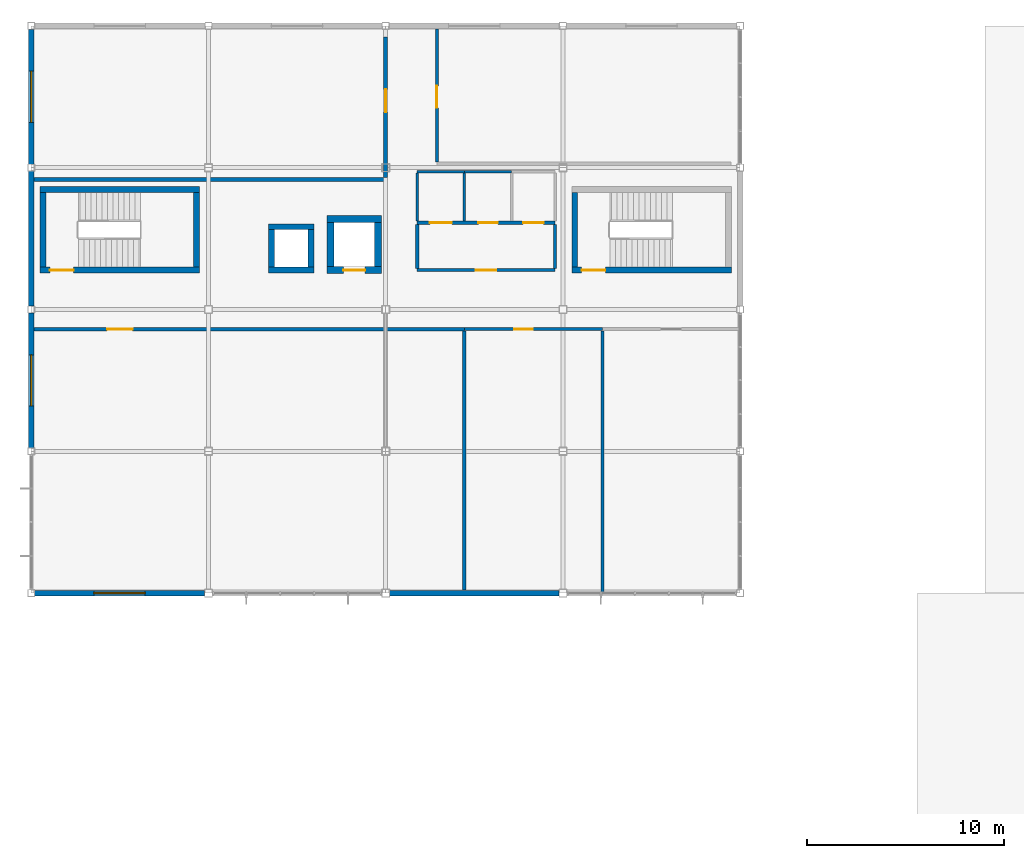
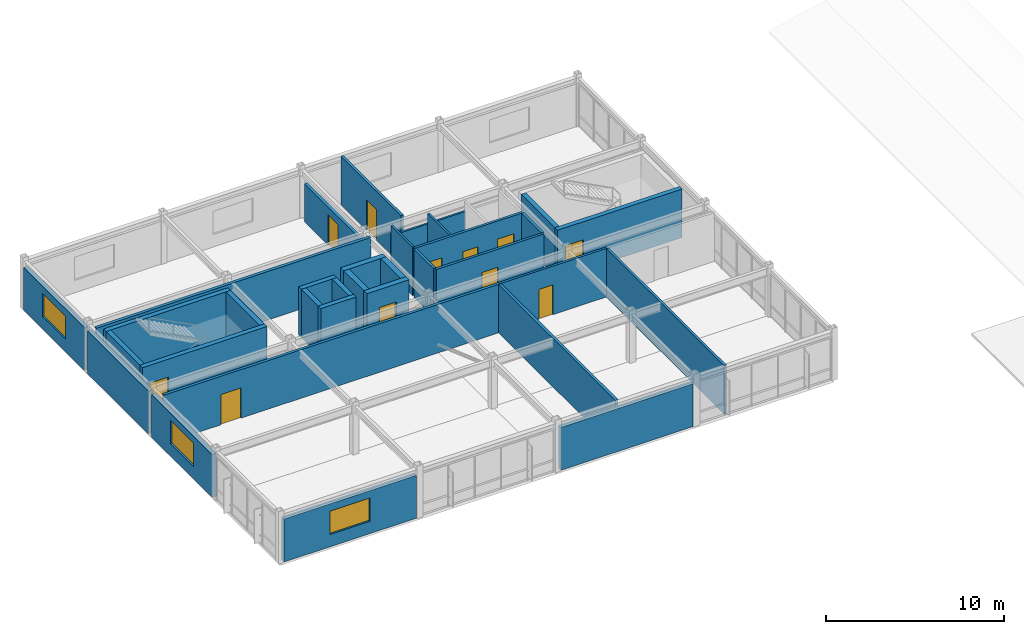
# One storey, part 26 of 34: 34 walls, 11 doors, 3 windows, 14 openings.
"""IFC4 building model written with IfcOpenShell, lengths in metres."""

from ifc_helpers import new_model, si_unit, direction, frame, frame_2d, origin, place, context, subcontext, project, spatial, rectangle, extrude, material, layer, layer_set, type_object, element, fill, save


model = new_model("IFC4")

# Units and contexts
model_context = context("Model", 3, precision=1e-05, world=origin(), true_north=direction((0.0, 1.0)))
body_context = subcontext(model_context, "Body", "Model", "MODEL_VIEW")
ifc_project = project(units=[si_unit("LENGTHUNIT", "METRE"), si_unit("AREAUNIT", "SQUARE_METRE"), si_unit("VOLUMEUNIT", "CUBIC_METRE"), si_unit("PLANEANGLEUNIT", "RADIAN"), si_unit("MASSUNIT", "GRAM", prefix="KILO")], contexts=[model_context])

# Site, building, storey
site_placement = place(None, origin())
site = spatial("IfcSite", under=ifc_project, at=site_placement, CompositionType="ELEMENT")
building_placement = place(site_placement, origin())
building = spatial("IfcBuilding", under=site, at=building_placement, Name="Kazanami Central Library", CompositionType="ELEMENT")
storey_placement = place(building_placement, frame((0.0, 0.0, 17.0)))
storey = spatial("IfcBuildingStorey", under=building, at=storey_placement, Name="L05", CompositionType="ELEMENT", Elevation=17.0)

# Wall, opening, window
ifc_material_1 = material(Name="Concrete Fc36 (36 MPa)", Category="concrete")
ifc_layer_1 = layer(ifc_material_1, 0.199951171875, Name="Concrete Fc36 (36 MPa)")
ifc_material_2 = material(Name="Extruded Polystyrene XPS", Category="earth")
ifc_layer_2 = layer(ifc_material_2, 0.050048828125, Name="Extruded Polystyrene XPS")
ifc_material_3 = material(Name="Honed Inada Granite", Category="masonry")
ifc_layer_3 = layer(ifc_material_3, 0.030029296875, Name="Honed Inada Granite")
ifc_layer_set_1 = layer_set([ifc_layer_1, ifc_layer_2, ifc_layer_3], Name="Concrete Fc36 (36 MPa)")
wall_type_1 = type_object("IfcWallType", Name="WAL-EW-280", PredefinedType="STANDARD", material=ifc_layer_set_1)
wall_1_placement = place(storey_placement, frame((0.175048828125, 64.800048828125, 0.0), z_axis=(0.0, 0.0, 1.0), x_axis=(1.0, 0.0, 0.0)))
wall_1 = element("IfcWall", 1, at=wall_1_placement, inside=storey, type_object=wall_type_1, Name="Exterior Facade Wall EW-280 L05 S-K-00", PredefinedType="STANDARD", context=body_context, shape_type="SweptSolid", body=[
    extrude(rectangle(XDim=8.625, YDim=0.280029296875, at=frame_2d((4.3125, 0.0))), origin(), (0.0, 0.0, 1.0), 2.949951171875),
])
opening_1_placement = place(wall_1_placement, frame((3.012451171875, 0.0, 0.85009765625)))
opening_1 = element("IfcOpeningElement", 2, at=opening_1_placement, cuts=wall_1, Name="Opening WN-13", PredefinedType="OPENING", context=body_context, shape_type="SweptSolid", body=[
    extrude(rectangle(XDim=2.60009765625, YDim=1.60009765625, at=frame_2d((1.300048828125, 0.800048828125))), frame((0.0, 0.15185546875, 0.0), z_axis=(0.0, -1.0, 0.0), x_axis=(1.0, 0.0, 0.0)), (0.0, 0.0, 1.0), 0.303955078125),
])
ifc_material_4 = material(Name="Low-E Insulated Triple Glass", Category="glass")
window_type = type_object("IfcWindowType", Name="WIN-WN-13", PartitioningType="DOUBLE_PANEL_VERTICAL", PredefinedType="WINDOW", material=ifc_material_4)
window_1_placement = place(opening_1_placement, origin())
window_1 = element("IfcWindow", 3, at=window_1_placement, inside=storey, type_object=window_type, Name="Facade Window WN-13 L05 S-K-00", OverallHeight=1.60009765625, OverallWidth=2.60009765625, PartitioningType="DOUBLE_PANEL_VERTICAL", PredefinedType="WINDOW", context=body_context, shape_type="SweptSolid", body=[
    extrude(rectangle(XDim=2.60009765625, YDim=1.60009765625, at=frame_2d((1.300048828125, 0.800048828125))), frame((0.0, 0.030029296875, 0.0), z_axis=(0.0, -1.0, 0.0), x_axis=(1.0, 0.0, 0.0)), (0.0, 0.0, 1.0), 0.06005859375),
])
fill(opening_1, window_1)

# Wall
wall_2_placement = place(storey_placement, frame((18.199951171875, 64.800048828125, 0.0), z_axis=(0.0, 0.0, 1.0), x_axis=(1.0, 0.0, 0.0)))
element("IfcWall", 4, at=wall_2_placement, inside=storey, type_object=wall_type_1, Name="Exterior Facade Wall EW-280 L05 S-K-02", PredefinedType="STANDARD", context=body_context, shape_type="SweptSolid", body=[
    extrude(rectangle(XDim=8.60009765625, YDim=0.280029296875, at=frame_2d((4.300048828125, 0.0))), origin(), (0.0, 0.0, 1.0), 2.949951171875),
])

# Wall, opening, window
wall_3_placement = place(storey_placement, frame((0.0, 72.175048828125, 0.0), z_axis=(0.0, 0.0, 1.0), x_axis=(0.0, 1.0, 0.0)))
wall_3 = element("IfcWall", 5, at=wall_3_placement, inside=storey, type_object=wall_type_1, Name="Exterior Facade Wall EW-280 L05 W-1-10", PredefinedType="STANDARD", context=body_context, shape_type="SweptSolid", body=[
    extrude(rectangle(XDim=6.849853515625, YDim=0.280029296875, at=frame_2d((3.4248046875, 0.0))), origin(), (0.0, 0.0, 1.0), 2.93994140625),
])
opening_2_placement = place(wall_3_placement, frame((2.125, 0.0, 0.85009765625)))
opening_2 = element("IfcOpeningElement", 6, at=opening_2_placement, cuts=wall_3, Name="Opening WN-13", PredefinedType="OPENING", context=body_context, shape_type="SweptSolid", body=[
    extrude(rectangle(XDim=2.60009765625, YDim=1.60009765625, at=frame_2d((1.300048828125, 0.800048828125))), frame((0.0, 0.15185546875, 0.0), z_axis=(0.0, -1.0, 0.0), x_axis=(1.0, 0.0, 0.0)), (0.0, 0.0, 1.0), 0.303955078125),
])
window_2_placement = place(opening_2_placement, origin())
window_2 = element("IfcWindow", 7, at=window_2_placement, inside=storey, type_object=window_type, Name="Facade Window WN-13 L05 W-1-10", OverallHeight=1.60009765625, OverallWidth=2.60009765625, PartitioningType="DOUBLE_PANEL_VERTICAL", PredefinedType="WINDOW", context=body_context, shape_type="SweptSolid", body=[
    extrude(rectangle(XDim=2.60009765625, YDim=1.60009765625, at=frame_2d((1.300048828125, 0.800048828125))), frame((0.0, 0.030029296875, 0.0), z_axis=(0.0, -1.0, 0.0), x_axis=(1.0, 0.0, 0.0)), (0.0, 0.0, 1.0), 0.06005859375),
])
fill(opening_2, window_2)

# Wall
wall_4_placement = place(storey_placement, frame((0.0, 79.375, 0.0), z_axis=(0.0, 0.0, 1.0), x_axis=(0.0, 1.0, 0.0)))
element("IfcWall", 8, at=wall_4_placement, inside=storey, type_object=wall_type_1, Name="Exterior Facade Wall EW-280 L05 W-1-11", PredefinedType="STANDARD", context=body_context, shape_type="SweptSolid", body=[
    extrude(rectangle(XDim=6.85009765625, YDim=0.280029296875, at=frame_2d((3.425048828125, 0.0))), origin(), (0.0, 0.0, 1.0), 2.93994140625),
])

# Wall, opening, window
wall_5_placement = place(storey_placement, frame((0.0, 86.574951171875, 0.0), z_axis=(0.0, 0.0, 1.0), x_axis=(0.0, 1.0, 0.0)))
wall_5 = element("IfcWall", 9, at=wall_5_placement, inside=storey, type_object=wall_type_1, Name="Exterior Facade Wall EW-280 L05 W-1-12", PredefinedType="STANDARD", context=body_context, shape_type="SweptSolid", body=[
    extrude(rectangle(XDim=6.85009765625, YDim=0.280029296875, at=frame_2d((3.425048828125, 0.0))), origin(), (0.0, 0.0, 1.0), 2.93994140625),
])
opening_3_placement = place(wall_5_placement, frame((2.125, 0.0, 0.85009765625)))
opening_3 = element("IfcOpeningElement", 10, at=opening_3_placement, cuts=wall_5, Name="Opening WN-13", PredefinedType="OPENING", context=body_context, shape_type="SweptSolid", body=[
    extrude(rectangle(XDim=2.60009765625, YDim=1.60009765625, at=frame_2d((1.300048828125, 0.800048828125))), frame((0.0, 0.15185546875, 0.0), z_axis=(0.0, -1.0, 0.0), x_axis=(1.0, 0.0, 0.0)), (0.0, 0.0, 1.0), 0.303955078125),
])
window_3_placement = place(opening_3_placement, origin())
window_3 = element("IfcWindow", 11, at=window_3_placement, inside=storey, type_object=window_type, Name="Facade Window WN-13 L05 W-1-12", OverallHeight=1.60009765625, OverallWidth=2.60009765625, PartitioningType="DOUBLE_PANEL_VERTICAL", PredefinedType="WINDOW", context=body_context, shape_type="SweptSolid", body=[
    extrude(rectangle(XDim=2.60009765625, YDim=1.60009765625, at=frame_2d((1.300048828125, 0.800048828125))), frame((0.0, 0.030029296875, 0.0), z_axis=(0.0, -1.0, 0.0), x_axis=(1.0, 0.0, 0.0)), (0.0, 0.0, 1.0), 0.06005859375),
])
fill(opening_3, window_3)

# Wall, opening, door
ifc_material_5 = material(Name="Fire-Resistant Gypsum Board GB-F", Category="gypsum")
ifc_layer_4 = layer(ifc_material_5, 0.1650390625, Name="Fire-Resistant Gypsum Board GB-F")
ifc_layer_set_2 = layer_set([ifc_layer_4], Name="Fire-Resistant Gypsum Board GB-F")
wall_type_2 = type_object("IfcWallType", Name="WAL-FW-165", PredefinedType="PARTITIONING", material=ifc_layer_set_2)
wall_6_placement = place(storey_placement, frame((19.60009765625, 81.199951171875, 0.0), z_axis=(0.0, 0.0, 1.0), x_axis=(1.0, 0.0, 0.0)))
wall_6 = element("IfcWall", 12, at=wall_6_placement, inside=storey, type_object=wall_type_2, Name="Interior Partition FW-165 L05 WC-V4-LOB (South)", PredefinedType="PARTITIONING", context=body_context, shape_type="SweptSolid", body=[
    extrude(rectangle(XDim=7.0, YDim=0.1650390625, at=frame_2d((3.5, 0.0))), origin(), (0.0, 0.0, 1.0), 3.340087890625),
])
opening_4_placement = place(wall_6_placement, frame((2.97509765625, 0.0, 0.0)))
opening_4 = element("IfcOpeningElement", 13, at=opening_4_placement, cuts=wall_6, Name="Opening FD30-1", PredefinedType="OPENING", context=body_context, shape_type="SweptSolid", body=[
    extrude(rectangle(XDim=1.050048828125, YDim=2.10009765625, at=frame_2d((0.52490234375, 1.050048828125))), frame((0.0, 0.094482421875, 0.0), z_axis=(0.0, -1.0, 0.0), x_axis=(1.0, 0.0, 0.0)), (0.0, 0.0, 1.0), 0.18896484375),
])
ifc_material_6 = material(Name="Cold-Rolled Steel SPCC", Category="steel")
door_type_1 = type_object("IfcDoorType", Name="DOR-FD30-1", OperationType="NOTDEFINED", PredefinedType="DOOR", material=ifc_material_6)
door_1_placement = place(opening_4_placement, origin())
door_1 = element("IfcDoor", 14, at=door_1_placement, inside=storey, type_object=door_type_1, Name="Interior Door FD30-1 L05 WC-V4-LOB", OperationType="SINGLE_SWING_RIGHT", OverallHeight=2.10009765625, OverallWidth=1.050048828125, PredefinedType="DOOR", context=body_context, shape_type="SweptSolid", body=[
    extrude(rectangle(XDim=1.050048828125, YDim=2.10009765625, at=frame_2d((0.52490234375, 1.050048828125))), frame((0.0, 0.02490234375, 0.0), z_axis=(0.0, -1.0, 0.0), x_axis=(1.0, 0.0, 0.0)), (0.0, 0.0, 1.0), 0.050048828125),
])
fill(opening_4, door_1)

# Wall, openings, doors
wall_7_placement = place(storey_placement, frame((19.60009765625, 83.60009765625, 0.0), z_axis=(0.0, 0.0, 1.0), x_axis=(1.0, 0.0, 0.0)))
wall_7 = element("IfcWall", 15, at=wall_7_placement, inside=storey, type_object=wall_type_2, Name="Interior Partition FW-165 L05 WC-V4-LOB (North)", PredefinedType="PARTITIONING", context=body_context, shape_type="SweptSolid", body=[
    extrude(rectangle(XDim=7.0, YDim=0.1650390625, at=frame_2d((3.5, 0.0))), origin(), (0.0, 0.0, 1.0), 3.340087890625),
])
opening_5_placement = place(wall_7_placement, frame((0.639892578125, 0.0, 0.0)))
opening_5 = element("IfcOpeningElement", 16, at=opening_5_placement, cuts=wall_7, Name="Opening FD30-8", PredefinedType="OPENING", context=body_context, shape_type="SweptSolid", body=[
    extrude(rectangle(XDim=1.1201171875, YDim=2.080078125, at=frame_2d((0.56005859375, 1.0400390625))), frame((0.0, 0.094482421875, 0.0), z_axis=(0.0, -1.0, 0.0), x_axis=(1.0, 0.0, 0.0)), (0.0, 0.0, 1.0), 0.18896484375),
])
opening_6_placement = place(wall_7_placement, frame((3.110107421875, 0.0, 0.0)))
opening_6 = element("IfcOpeningElement", 17, at=opening_6_placement, cuts=wall_7, Name="Opening FD30-3", PredefinedType="OPENING", context=body_context, shape_type="SweptSolid", body=[
    extrude(rectangle(XDim=0.97998046875, YDim=2.02001953125, at=frame_2d((0.489990234375, 1.010009765625))), frame((0.0, 0.094482421875, 0.0), z_axis=(0.0, -1.0, 0.0), x_axis=(1.0, 0.0, 0.0)), (0.0, 0.0, 1.0), 0.18896484375),
])
opening_7_placement = place(wall_7_placement, frame((5.375, 0.0, 0.0)))
opening_7 = element("IfcOpeningElement", 18, at=opening_7_placement, cuts=wall_7, Name="Opening FD30-1", PredefinedType="OPENING", context=body_context, shape_type="SweptSolid", body=[
    extrude(rectangle(XDim=1.050048828125, YDim=2.10009765625, at=frame_2d((0.52490234375, 1.050048828125))), frame((0.0, 0.094482421875, 0.0), z_axis=(0.0, -1.0, 0.0), x_axis=(1.0, 0.0, 0.0)), (0.0, 0.0, 1.0), 0.18896484375),
])
door_2_placement = place(opening_7_placement, origin())
door_2 = element("IfcDoor", 19, at=door_2_placement, inside=storey, type_object=door_type_1, Name="Interior Door FD30-1 L05 WC-V4-ACC", OperationType="SINGLE_SWING_LEFT", OverallHeight=2.10009765625, OverallWidth=1.050048828125, PredefinedType="DOOR", context=body_context, shape_type="SweptSolid", body=[
    extrude(rectangle(XDim=1.050048828125, YDim=2.10009765625, at=frame_2d((0.52490234375, 1.050048828125))), frame((0.0, 0.02490234375, 0.0), z_axis=(0.0, -1.0, 0.0), x_axis=(1.0, 0.0, 0.0)), (0.0, 0.0, 1.0), 0.050048828125),
])
fill(opening_7, door_2)
door_type_2 = type_object("IfcDoorType", Name="DOR-FD30-3", OperationType="NOTDEFINED", PredefinedType="DOOR", material=ifc_material_6)
door_3_placement = place(opening_6_placement, origin())
door_3 = element("IfcDoor", 20, at=door_3_placement, inside=storey, type_object=door_type_2, Name="Interior Door FD30-3 L05 WC-V4-F", OperationType="SINGLE_SWING_RIGHT", OverallHeight=2.02001953125, OverallWidth=0.97998046875, PredefinedType="DOOR", context=body_context, shape_type="SweptSolid", body=[
    extrude(rectangle(XDim=0.97998046875, YDim=2.02001953125, at=frame_2d((0.489990234375, 1.010009765625))), frame((0.0, 0.02490234375, 0.0), z_axis=(0.0, -1.0, 0.0), x_axis=(1.0, 0.0, 0.0)), (0.0, 0.0, 1.0), 0.050048828125),
])
fill(opening_6, door_3)
door_type_3 = type_object("IfcDoorType", Name="DOR-FD30-8", OperationType="NOTDEFINED", PredefinedType="DOOR", material=ifc_material_6)
door_4_placement = place(opening_5_placement, origin())
door_4 = element("IfcDoor", 21, at=door_4_placement, inside=storey, type_object=door_type_3, Name="Interior Door FD30-8 L05 WC-V4-M", OperationType="SINGLE_SWING_LEFT", OverallHeight=2.080078125, OverallWidth=1.1201171875, PredefinedType="DOOR", context=body_context, shape_type="SweptSolid", body=[
    extrude(rectangle(XDim=1.1201171875, YDim=2.080078125, at=frame_2d((0.56005859375, 1.0400390625))), frame((0.0, 0.02490234375, 0.0), z_axis=(0.0, -1.0, 0.0), x_axis=(1.0, 0.0, 0.0)), (0.0, 0.0, 1.0), 0.050048828125),
])
fill(opening_5, door_4)

# Walls
for number, where, z_axis, x_axis, name in (
    (22, (19.60009765625, 81.2900390625, 0.0), (0.0, 0.0, 1.0), (0.0, 1.0, 0.0), "Interior Partition FW-165 L05 WC-V4-LOB (West)"),
    (23, (26.60009765625, 81.2900390625, 0.0), (0.0, 0.0, 1.0), (0.0, 1.0, 0.0), "Interior Partition FW-165 L05 WC-V4-LOB (East)"),
):
    element("IfcWall", number, at=place(storey_placement, frame(where, z_axis=z_axis, x_axis=x_axis)), inside=storey, type_object=wall_type_2, Name=name, PredefinedType="PARTITIONING", context=body_context, shape_type="SweptSolid", body=[
        extrude(rectangle(XDim=2.219970703125, YDim=0.1650390625, at=frame_2d((1.10986328125, 0.0))), origin(), (0.0, 0.0, 1.0), 3.340087890625),
    ])

# Wall, opening, door
wall_8_placement = place(storey_placement, frame((20.60009765625, 86.68994140625, 0.0), z_axis=(0.0, 0.0, 1.0), x_axis=(0.0, 1.0, 0.0)))
wall_8 = element("IfcWall", 24, at=wall_8_placement, inside=storey, type_object=wall_type_2, Name="Interior Partition FW-165 L05 RM-07 (West)", PredefinedType="PARTITIONING", context=body_context, shape_type="SweptSolid", body=[
    extrude(rectangle(XDim=6.76513671875, YDim=0.1650390625, at=frame_2d((3.382568359375, 0.0))), origin(), (0.0, 0.0, 1.0), 3.340087890625),
])
opening_8_placement = place(wall_8_placement, frame((2.75, 0.0, 0.0)))
opening_8 = element("IfcOpeningElement", 25, at=opening_8_placement, cuts=wall_8, Name="Opening FD30-8", PredefinedType="OPENING", context=body_context, shape_type="SweptSolid", body=[
    extrude(rectangle(XDim=1.1201171875, YDim=2.080078125, at=frame_2d((0.56005859375, 1.0400390625))), frame((0.0, 0.094482421875, 0.0), z_axis=(0.0, -1.0, 0.0), x_axis=(1.0, 0.0, 0.0)), (0.0, 0.0, 1.0), 0.18896484375),
])
door_5_placement = place(opening_8_placement, origin())
door_5 = element("IfcDoor", 26, at=door_5_placement, inside=storey, type_object=door_type_3, Name="Interior Door FD30-8 L05 RM-07", OperationType="SINGLE_SWING_LEFT", OverallHeight=2.080078125, OverallWidth=1.1201171875, PredefinedType="DOOR", context=body_context, shape_type="SweptSolid", body=[
    extrude(rectangle(XDim=1.1201171875, YDim=2.080078125, at=frame_2d((0.56005859375, 1.0400390625))), frame((0.0, 0.02490234375, 0.0), z_axis=(0.0, -1.0, 0.0), x_axis=(1.0, 0.0, 0.0)), (0.0, 0.0, 1.0), 0.050048828125),
])
fill(opening_8, door_5)

ifc_layer_5 = layer(ifc_material_5, 0.179931640625, Name="Fire-Resistant Gypsum Board GB-F")
ifc_layer_set_3 = layer_set([ifc_layer_5], Name="Fire-Resistant Gypsum Board GB-F")
wall_type_3 = type_object("IfcWallType", Name="WAL-FW-180", PredefinedType="PARTITIONING", material=ifc_layer_set_3)
wall_9_placement = place(storey_placement, frame((0.14501953125, 78.199951171875, 0.0), z_axis=(0.0, 0.0, 1.0), x_axis=(1.0, 0.0, 0.0)))
wall_9 = element("IfcWall", 27, at=wall_9_placement, inside=storey, type_object=wall_type_3, Name="Interior Partition FW-180 L05 RM-03 (North)", PredefinedType="PARTITIONING", context=body_context, shape_type="SweptSolid", body=[
    extrude(rectangle(XDim=21.85498046875, YDim=0.179931640625, at=frame_2d((10.927490234375, 0.0))), origin(), (0.0, 0.0, 1.0), 3.340087890625),
])
opening_9_placement = place(wall_9_placement, frame((3.705078125, 0.0, 0.0)))
opening_9 = element("IfcOpeningElement", 28, at=opening_9_placement, cuts=wall_9, Name="Opening FD30-7", PredefinedType="OPENING", context=body_context, shape_type="SweptSolid", body=[
    extrude(rectangle(XDim=1.300048828125, YDim=2.080078125, at=frame_2d((0.64990234375, 1.0400390625))), frame((0.0, 0.10205078125, 0.0), z_axis=(0.0, -1.0, 0.0), x_axis=(1.0, 0.0, 0.0)), (0.0, 0.0, 1.0), 0.203857421875),
])
door_type_4 = type_object("IfcDoorType", Name="DOR-FD30-7", OperationType="DOUBLE_DOOR_SINGLE_SWING", PredefinedType="DOOR", material=ifc_material_6)
door_6_placement = place(opening_9_placement, origin())
door_6 = element("IfcDoor", 29, at=door_6_placement, inside=storey, type_object=door_type_4, Name="Interior Door FD30-7 L05 RM-03", OperationType="DOUBLE_DOOR_SINGLE_SWING", OverallHeight=2.080078125, OverallWidth=1.300048828125, PredefinedType="DOOR", context=body_context, shape_type="SweptSolid", body=[
    extrude(rectangle(XDim=1.300048828125, YDim=2.080078125, at=frame_2d((0.64990234375, 1.0400390625))), frame((0.0, 0.02490234375, 0.0), z_axis=(0.0, -1.0, 0.0), x_axis=(1.0, 0.0, 0.0)), (0.0, 0.0, 1.0), 0.050048828125),
])
fill(opening_9, door_6)

# Walls
wall_10_placement = place(storey_placement, frame((22.0, 64.945068359375, 0.0), z_axis=(0.0, 0.0, 1.0), x_axis=(0.0, 1.0, 0.0)))
element("IfcWall", 30, at=wall_10_placement, inside=storey, type_object=wall_type_3, Name="Interior Partition FW-180 L05 RM-03 (East)", PredefinedType="PARTITIONING", context=body_context, shape_type="SweptSolid", body=[
    extrude(rectangle(XDim=13.1650390625, YDim=0.179931640625, at=frame_2d((6.58251953125, 0.0))), origin(), (0.0, 0.0, 1.0), 3.340087890625),
])
ifc_layer_6 = layer(ifc_material_5, 0.199951171875, Name="Fire-Resistant Gypsum Board GB-F")
ifc_layer_set_4 = layer_set([ifc_layer_6], Name="Fire-Resistant Gypsum Board GB-F")
wall_type_4 = type_object("IfcWallType", Name="WAL-FW-200", PredefinedType="PARTITIONING", material=ifc_layer_set_4)
wall_11_placement = place(storey_placement, frame((0.14501953125, 85.800048828125, 0.0), z_axis=(0.0, 0.0, 1.0), x_axis=(1.0, 0.0, 0.0)))
element("IfcWall", 31, at=wall_11_placement, inside=storey, type_object=wall_type_4, Name="Interior Partition FW-200 L05 RM-06 (South)", PredefinedType="PARTITIONING", context=body_context, shape_type="SweptSolid", body=[
    extrude(rectangle(XDim=17.85498046875, YDim=0.199951171875, at=frame_2d((8.927490234375, 0.0))), origin(), (0.0, 0.0, 1.0), 3.340087890625),
])

# Wall, opening, door
wall_12_placement = place(storey_placement, frame((18.0, 85.889892578125, 0.0), z_axis=(0.0, 0.0, 1.0), x_axis=(0.0, 1.0, 0.0)))
wall_12 = element("IfcWall", 32, at=wall_12_placement, inside=storey, type_object=wall_type_4, Name="Interior Partition FW-200 L05 RM-06 (East)", PredefinedType="PARTITIONING", context=body_context, shape_type="SweptSolid", body=[
    extrude(rectangle(XDim=7.14501953125, YDim=0.199951171875, at=frame_2d((3.572509765625, 0.0))), origin(), (0.0, 0.0, 1.0), 2.6201171875),
])
opening_10_placement = place(wall_12_placement, frame((3.3349609375, 0.0, 0.0)))
opening_10 = element("IfcOpeningElement", 33, at=opening_10_placement, cuts=wall_12, Name="Opening FD60-2", PredefinedType="OPENING", context=body_context, shape_type="SweptSolid", body=[
    extrude(rectangle(XDim=1.14990234375, YDim=2.10009765625, at=frame_2d((0.574951171875, 1.050048828125))), frame((0.0, 0.11181640625, 0.0), z_axis=(0.0, -1.0, 0.0), x_axis=(1.0, 0.0, 0.0)), (0.0, 0.0, 1.0), 0.223876953125),
])
door_type_5 = type_object("IfcDoorType", Name="DOR-FD60-2", OperationType="NOTDEFINED", PredefinedType="DOOR", material=ifc_material_6)
door_7_placement = place(opening_10_placement, origin())
door_7 = element("IfcDoor", 34, at=door_7_placement, inside=storey, type_object=door_type_5, Name="Interior Door FD60-2 L05 RM-06", OperationType="SINGLE_SWING_RIGHT", OverallHeight=2.10009765625, OverallWidth=1.14990234375, PredefinedType="DOOR", context=body_context, shape_type="SweptSolid", body=[
    extrude(rectangle(XDim=1.14990234375, YDim=2.10009765625, at=frame_2d((0.574951171875, 1.050048828125))), frame((0.0, 0.02490234375, 0.0), z_axis=(0.0, -1.0, 0.0), x_axis=(1.0, 0.0, 0.0)), (0.0, 0.0, 1.0), 0.050048828125),
])
fill(opening_10, door_7)

# Walls
ifc_material_7 = material(Name="Gypsum Plasterboard GB-R", Category="gypsum")
ifc_layer_7 = layer(ifc_material_7, 0.125, Name="Gypsum Plasterboard GB-R")
ifc_layer_set_5 = layer_set([ifc_layer_7], Name="Gypsum Plasterboard GB-R")
wall_type_5 = type_object("IfcWallType", Name="WAL-PW-125", PredefinedType="PARTITIONING", material=ifc_layer_set_5)
wall_13_placement = place(storey_placement, frame((19.60009765625, 86.199951171875, 0.0), z_axis=(0.0, 0.0, 1.0), x_axis=(1.0, 0.0, 0.0)))
element("IfcWall", 35, at=wall_13_placement, inside=storey, type_object=wall_type_5, Name="Interior Partition PW-125 L05 WC-V4-M (North)", PredefinedType="PARTITIONING", context=body_context, shape_type="SweptSolid", body=[
    extrude(rectangle(XDim=2.39990234375, YDim=0.125, at=frame_2d((1.199951171875, 0.0))), origin(), (0.0, 0.0, 1.0), 2.6201171875),
])
for number, where, z_axis, x_axis, name in (
    (36, (19.60009765625, 83.68994140625, 0.0), (0.0, 0.0, 1.0), (0.0, 1.0, 0.0), "Interior Partition PW-125 L05 WC-V4-M (West)"),
    (37, (22.0, 83.68994140625, 0.0), (0.0, 0.0, 1.0), (0.0, 1.0, 0.0), "Interior Partition PW-125 L05 WC-V4-M (East)"),
):
    element("IfcWall", number, at=place(storey_placement, frame(where, z_axis=z_axis, x_axis=x_axis)), inside=storey, type_object=wall_type_5, Name=name, PredefinedType="PARTITIONING", context=body_context, shape_type="SweptSolid", body=[
        extrude(rectangle(XDim=2.447509765625, YDim=0.125, at=frame_2d((1.2236328125, 0.0))), origin(), (0.0, 0.0, 1.0), 3.340087890625),
    ])
wall_14_placement = place(storey_placement, frame((22.0, 86.199951171875, 0.0), z_axis=(0.0, 0.0, 1.0), x_axis=(1.0, 0.0, 0.0)))
element("IfcWall", 38, at=wall_14_placement, inside=storey, type_object=wall_type_5, Name="Interior Partition PW-125 L05 WC-V4-F (North)", PredefinedType="PARTITIONING", context=body_context, shape_type="SweptSolid", body=[
    extrude(rectangle(XDim=2.39990234375, YDim=0.125, at=frame_2d((1.199951171875, 0.0))), origin(), (0.0, 0.0, 1.0), 2.6201171875),
])

# Wall, opening, door
ifc_layer_8 = layer(ifc_material_7, 0.14990234375, Name="Gypsum Plasterboard GB-R")
ifc_layer_set_6 = layer_set([ifc_layer_8], Name="Gypsum Plasterboard GB-R")
wall_type_6 = type_object("IfcWallType", Name="WAL-PW-150", PredefinedType="PARTITIONING", material=ifc_layer_set_6)
wall_15_placement = place(storey_placement, frame((22.0, 78.199951171875, 0.0), z_axis=(0.0, 0.0, 1.0), x_axis=(1.0, 0.0, 0.0)))
wall_15 = element("IfcWall", 39, at=wall_15_placement, inside=storey, type_object=wall_type_6, Name="Interior Partition PW-150 L05 RM-04 (North)", PredefinedType="PARTITIONING", context=body_context, shape_type="SweptSolid", body=[
    extrude(rectangle(XDim=7.0, YDim=0.14990234375, at=frame_2d((3.5, 0.0))), origin(), (0.0, 0.0, 1.0), 3.340087890625),
])
opening_11_placement = place(wall_15_placement, frame((2.5400390625, 0.0, 0.0)))
opening_11 = element("IfcOpeningElement", 40, at=opening_11_placement, cuts=wall_15, Name="Opening ID-02", PredefinedType="OPENING", context=body_context, shape_type="SweptSolid", body=[
    extrude(rectangle(XDim=0.919921875, YDim=2.06005859375, at=frame_2d((0.4599609375, 1.030029296875))), frame((0.0, 0.0869140625, 0.0), z_axis=(0.0, -1.0, 0.0), x_axis=(1.0, 0.0, 0.0)), (0.0, 0.0, 1.0), 0.173828125),
])
ifc_material_8 = material(Name="White Oak Hardwood", Category="wood")
door_type_6 = type_object("IfcDoorType", Name="DOR-ID-02", OperationType="NOTDEFINED", PredefinedType="DOOR", material=ifc_material_8)
door_8_placement = place(opening_11_placement, origin())
door_8 = element("IfcDoor", 41, at=door_8_placement, inside=storey, type_object=door_type_6, Name="Interior Door ID-02 L05 RM-04", OperationType="SINGLE_SWING_RIGHT", OverallHeight=2.06005859375, OverallWidth=0.919921875, PredefinedType="DOOR", context=body_context, shape_type="SweptSolid", body=[
    extrude(rectangle(XDim=0.919921875, YDim=2.06005859375, at=frame_2d((0.4599609375, 1.030029296875))), frame((0.0, 0.02490234375, 0.0), z_axis=(0.0, -1.0, 0.0), x_axis=(1.0, 0.0, 0.0)), (0.0, 0.0, 1.0), 0.050048828125),
])
fill(opening_11, door_8)

# Wall
wall_16_placement = place(storey_placement, frame((29.0, 64.8349609375, 0.0), z_axis=(0.0, 0.0, 1.0), x_axis=(0.0, 1.0, 0.0)))
element("IfcWall", 42, at=wall_16_placement, inside=storey, type_object=wall_type_6, Name="Interior Partition PW-150 L05 RM-04 (East)", PredefinedType="PARTITIONING", context=body_context, shape_type="SweptSolid", body=[
    extrude(rectangle(XDim=13.275146484375, YDim=0.14990234375, at=frame_2d((6.6376953125, 0.0))), origin(), (0.0, 0.0, 1.0), 3.340087890625),
])

# Wall, opening, door
ifc_layer_9 = layer(ifc_material_1, 0.300048828125, Name="Concrete Fc36 (36 MPa)")
ifc_layer_set_7 = layer_set([ifc_layer_9], Name="Concrete Fc36 (36 MPa)")
wall_type_7 = type_object("IfcWallType", Name="WAL-SW-300", PredefinedType="SHEAR", material=ifc_layer_set_7)
wall_17_placement = place(storey_placement, frame((0.449951171875, 81.199951171875, 0.0), z_axis=(0.0, 0.0, 1.0), x_axis=(1.0, 0.0, 0.0)))
wall_17 = element("IfcWall", 43, at=wall_17_placement, inside=storey, type_object=wall_type_7, Name="Stair Core Wall ST-05 South L05", PredefinedType="SHEAR", context=body_context, shape_type="SweptSolid", body=[
    extrude(rectangle(XDim=8.10009765625, YDim=0.300048828125, at=frame_2d((4.050048828125, 0.0))), origin(), (0.0, 0.0, 1.0), 3.340087890625),
])
opening_12_placement = place(wall_17_placement, frame((0.5, 0.0, 0.0)))
opening_12 = element("IfcOpeningElement", 44, at=opening_12_placement, cuts=wall_17, Name="Opening FD60-1", PredefinedType="OPENING", context=body_context, shape_type="SweptSolid", body=[
    extrude(rectangle(XDim=1.199951171875, YDim=2.10009765625, at=frame_2d((0.60009765625, 1.050048828125))), frame((0.0, 0.162109375, 0.0), z_axis=(0.0, -1.0, 0.0), x_axis=(1.0, 0.0, 0.0)), (0.0, 0.0, 1.0), 0.323974609375),
])
door_type_7 = type_object("IfcDoorType", Name="DOR-FD60-1", OperationType="NOTDEFINED", PredefinedType="DOOR", material=ifc_material_6)
door_9_placement = place(opening_12_placement, origin())
door_9 = element("IfcDoor", 45, at=door_9_placement, inside=storey, type_object=door_type_7, Name="Escape Stair ST-05 Fire Door L05", OperationType="SINGLE_SWING_LEFT", OverallHeight=2.10009765625, OverallWidth=1.199951171875, PredefinedType="DOOR", context=body_context, shape_type="SweptSolid", body=[
    extrude(rectangle(XDim=1.199951171875, YDim=2.10009765625, at=frame_2d((0.60009765625, 1.050048828125))), frame((0.0, 0.02490234375, 0.0), z_axis=(0.0, -1.0, 0.0), x_axis=(1.0, 0.0, 0.0)), (0.0, 0.0, 1.0), 0.050048828125),
])
fill(opening_12, door_9)

# Walls
wall_18_placement = place(storey_placement, frame((0.449951171875, 85.300048828125, 0.0), z_axis=(0.0, 0.0, 1.0), x_axis=(1.0, 0.0, 0.0)))
element("IfcWall", 46, at=wall_18_placement, inside=storey, type_object=wall_type_7, Name="Stair Core Wall ST-05 North L05", PredefinedType="SHEAR", context=body_context, shape_type="SweptSolid", body=[
    extrude(rectangle(XDim=8.10009765625, YDim=0.300048828125, at=frame_2d((4.050048828125, 0.0))), origin(), (0.0, 0.0, 1.0), 3.340087890625),
])
for number, where, z_axis, x_axis, name in (
    (47, (0.60009765625, 81.35009765625, 0.0), (0.0, 0.0, 1.0), (0.0, 1.0, 0.0), "Stair Core Wall ST-05 West L05"),
    (48, (8.39990234375, 81.35009765625, 0.0), (0.0, 0.0, 1.0), (0.0, 1.0, 0.0), "Stair Core Wall ST-05 East L05"),
):
    element("IfcWall", number, at=place(storey_placement, frame(where, z_axis=z_axis, x_axis=x_axis)), inside=storey, type_object=wall_type_7, Name=name, PredefinedType="SHEAR", context=body_context, shape_type="SweptSolid", body=[
        extrude(rectangle(XDim=3.7998046875, YDim=0.300048828125, at=frame_2d((1.89990234375, 0.0))), origin(), (0.0, 0.0, 1.0), 3.340087890625),
    ])

# Wall, opening, door
wall_19_placement = place(storey_placement, frame((27.449951171875, 81.199951171875, 0.0), z_axis=(0.0, 0.0, 1.0), x_axis=(1.0, 0.0, 0.0)))
wall_19 = element("IfcWall", 49, at=wall_19_placement, inside=storey, type_object=wall_type_7, Name="Stair Core Wall ST-06 South L05", PredefinedType="SHEAR", context=body_context, shape_type="SweptSolid", body=[
    extrude(rectangle(XDim=8.10009765625, YDim=0.300048828125, at=frame_2d((4.050048828125, 0.0))), origin(), (0.0, 0.0, 1.0), 3.340087890625),
])
opening_13_placement = place(wall_19_placement, frame((0.5, 0.0, 0.0)))
opening_13 = element("IfcOpeningElement", 50, at=opening_13_placement, cuts=wall_19, Name="Opening FD60-1", PredefinedType="OPENING", context=body_context, shape_type="SweptSolid", body=[
    extrude(rectangle(XDim=1.199951171875, YDim=2.10009765625, at=frame_2d((0.60009765625, 1.050048828125))), frame((0.0, 0.162109375, 0.0), z_axis=(0.0, -1.0, 0.0), x_axis=(1.0, 0.0, 0.0)), (0.0, 0.0, 1.0), 0.323974609375),
])
door_10_placement = place(opening_13_placement, origin())
door_10 = element("IfcDoor", 51, at=door_10_placement, inside=storey, type_object=door_type_7, Name="Escape Stair ST-06 Fire Door L05", OperationType="SINGLE_SWING_LEFT", OverallHeight=2.10009765625, OverallWidth=1.199951171875, PredefinedType="DOOR", context=body_context, shape_type="SweptSolid", body=[
    extrude(rectangle(XDim=1.199951171875, YDim=2.10009765625, at=frame_2d((0.60009765625, 1.050048828125))), frame((0.0, 0.02490234375, 0.0), z_axis=(0.0, -1.0, 0.0), x_axis=(1.0, 0.0, 0.0)), (0.0, 0.0, 1.0), 0.050048828125),
])
fill(opening_13, door_10)

# Walls
wall_20_placement = place(storey_placement, frame((27.60009765625, 81.35009765625, 0.0), z_axis=(0.0, 0.0, 1.0), x_axis=(0.0, 1.0, 0.0)))
element("IfcWall", 52, at=wall_20_placement, inside=storey, type_object=wall_type_7, Name="Stair Core Wall ST-06 West L05", PredefinedType="SHEAR", context=body_context, shape_type="SweptSolid", body=[
    extrude(rectangle(XDim=3.7998046875, YDim=0.300048828125, at=frame_2d((1.89990234375, 0.0))), origin(), (0.0, 0.0, 1.0), 3.340087890625),
])
for number, where, z_axis, x_axis, name in (
    (53, (12.050048828125, 81.199951171875, 0.0), (0.0, 0.0, 1.0), (1.0, 0.0, 0.0), "Service Riser Wall RSR-V4-A S L05"),
    (54, (12.050048828125, 83.39990234375, 0.0), (0.0, 0.0, 1.0), (1.0, 0.0, 0.0), "Service Riser Wall RSR-V4-A N L05"),
):
    element("IfcWall", number, at=place(storey_placement, frame(where, z_axis=z_axis, x_axis=x_axis)), inside=storey, type_object=wall_type_7, Name=name, PredefinedType="SHEAR", context=body_context, shape_type="SweptSolid", body=[
        extrude(rectangle(XDim=2.300048828125, YDim=0.300048828125, at=frame_2d((1.14990234375, 0.0))), origin(), (0.0, 0.0, 1.0), 3.340087890625),
    ])
for number, where, z_axis, x_axis, name in (
    (55, (12.199951171875, 81.35009765625, 0.0), (0.0, 0.0, 1.0), (0.0, 1.0, 0.0), "Service Riser Wall RSR-V4-A W L05"),
    (56, (14.199951171875, 81.35009765625, 0.0), (0.0, 0.0, 1.0), (0.0, 1.0, 0.0), "Service Riser Wall RSR-V4-A E L05"),
):
    element("IfcWall", number, at=place(storey_placement, frame(where, z_axis=z_axis, x_axis=x_axis)), inside=storey, type_object=wall_type_7, Name=name, PredefinedType="SHEAR", context=body_context, shape_type="SweptSolid", body=[
        extrude(rectangle(XDim=1.89990234375, YDim=0.300048828125, at=frame_2d((0.949951171875, 0.0))), origin(), (0.0, 0.0, 1.0), 3.340087890625),
    ])

# Wall, opening, door
ifc_layer_10 = layer(ifc_material_1, 0.35009765625, Name="Concrete Fc36 (36 MPa)")
ifc_layer_set_8 = layer_set([ifc_layer_10], Name="Concrete Fc36 (36 MPa)")
wall_type_8 = type_object("IfcWallType", Name="WAL-SW-350", PredefinedType="SHEAR", material=ifc_layer_set_8)
wall_21_placement = place(storey_placement, frame((15.02490234375, 81.199951171875, 0.0), z_axis=(0.0, 0.0, 1.0), x_axis=(1.0, 0.0, 0.0)))
wall_21 = element("IfcWall", 57, at=wall_21_placement, inside=storey, type_object=wall_type_8, Name="Lift Shaft Wall EL-P4 South L05", PredefinedType="SHEAR", context=body_context, shape_type="SweptSolid", body=[
    extrude(rectangle(XDim=2.75, YDim=0.35009765625, at=frame_2d((1.375, 0.0))), origin(), (0.0, 0.0, 1.0), 3.340087890625),
])
opening_14_placement = place(wall_21_placement, frame((0.824951171875, 0.0, 0.0)))
opening_14 = element("IfcOpeningElement", 58, at=opening_14_placement, cuts=wall_21, Name="Opening LD-01", PredefinedType="OPENING", context=body_context, shape_type="SweptSolid", body=[
    extrude(rectangle(XDim=1.10009765625, YDim=2.10009765625, at=frame_2d((0.550048828125, 1.050048828125))), frame((0.0, 0.18701171875, 0.0), z_axis=(0.0, -1.0, 0.0), x_axis=(1.0, 0.0, 0.0)), (0.0, 0.0, 1.0), 0.3740234375),
])
ifc_material_9 = material(Name="Stainless Steel SUS304", Category="steel")
door_type_8 = type_object("IfcDoorType", Name="DOR-LD-01", OperationType="SLIDING_TO_LEFT", PredefinedType="DOOR", material=ifc_material_9)
door_11_placement = place(opening_14_placement, origin())
door_11 = element("IfcDoor", 59, at=door_11_placement, inside=storey, type_object=door_type_8, Name="Lift Landing Sliding Door EL-P4 (L05)", OperationType="SLIDING_TO_LEFT", OverallHeight=2.10009765625, OverallWidth=1.10009765625, PredefinedType="DOOR", context=body_context, shape_type="SweptSolid", body=[
    extrude(rectangle(XDim=1.10009765625, YDim=2.10009765625, at=frame_2d((0.550048828125, 1.050048828125))), frame((0.0, 0.02490234375, 0.0), z_axis=(0.0, -1.0, 0.0), x_axis=(1.0, 0.0, 0.0)), (0.0, 0.0, 1.0), 0.050048828125),
])
fill(opening_14, door_11)

# Walls
wall_22_placement = place(storey_placement, frame((15.02490234375, 83.800048828125, 0.0), z_axis=(0.0, 0.0, 1.0), x_axis=(1.0, 0.0, 0.0)))
element("IfcWall", 60, at=wall_22_placement, inside=storey, type_object=wall_type_8, Name="Lift Shaft Wall EL-P4 North L05", PredefinedType="SHEAR", context=body_context, shape_type="SweptSolid", body=[
    extrude(rectangle(XDim=2.75, YDim=0.35009765625, at=frame_2d((1.375, 0.0))), origin(), (0.0, 0.0, 1.0), 3.340087890625),
])
for number, where, z_axis, x_axis, name in (
    (61, (15.199951171875, 81.375, 0.0), (0.0, 0.0, 1.0), (0.0, 1.0, 0.0), "Lift Shaft Wall EL-P4 West L05"),
    (62, (17.60009765625, 81.375, 0.0), (0.0, 0.0, 1.0), (0.0, 1.0, 0.0), "Lift Shaft Wall EL-P4 East L05"),
):
    element("IfcWall", number, at=place(storey_placement, frame(where, z_axis=z_axis, x_axis=x_axis)), inside=storey, type_object=wall_type_8, Name=name, PredefinedType="SHEAR", context=body_context, shape_type="SweptSolid", body=[
        extrude(rectangle(XDim=2.25, YDim=0.35009765625, at=frame_2d((1.125, 0.0))), origin(), (0.0, 0.0, 1.0), 3.340087890625),
    ])

save(model, "model.ifc")
